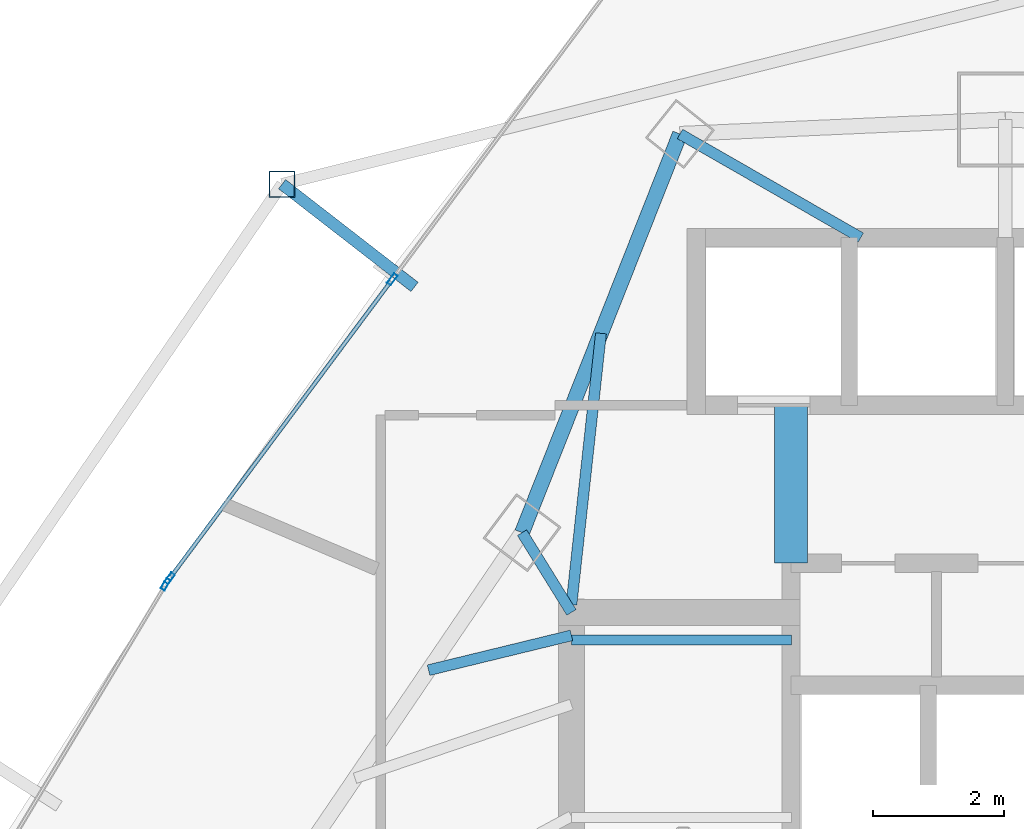
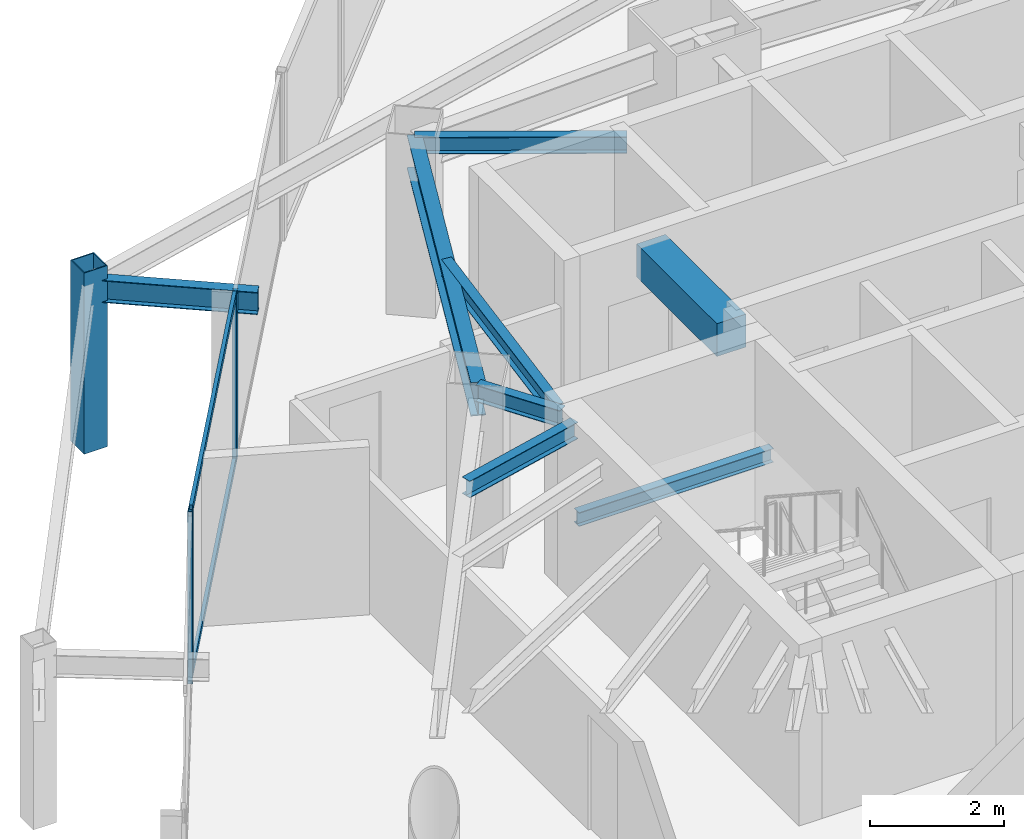
# One storey, part 19 of 31: 8 beams, 6 members, 2 elements without a shape of their own.
"""IFC4 building model written with IfcOpenShell, lengths in metres."""

import ifcopenshell
import ifcopenshell.guid

model = None  # the IFC model being written
_history = None  # IfcOwnerHistory: only IFC2X3 demands one
_inside = {}  # id of a spatial element -> (the spatial element, [elements in it])
_under = {}  # id of a project, library or spatial element -> (it, [spatial elements below it])
_declared = {}  # id of a project -> (the project, [libraries it declares])
_typed = {}  # id of a type object -> (the type object, [elements of that type])
_made_of = {}  # id of a material, layer set ... -> (it, [elements and type objects made of it])


def new_model(schema):
    """Start an empty IFC model of exactly this schema.

    Asked for "IFC4X3", IfcOpenShell would pick the latest addendum, in which some entities
    have other attributes; the version numbers below select the first issue.
    IFC2X3 requires an IfcOwnerHistory on every rooted entity: one is made here for all.
    """
    global model, _history
    if schema == "IFC4X3":
        model = ifcopenshell.file(schema_version=(4, 3, 0, 0))
    else:
        model = ifcopenshell.file(schema=schema)
    _inside.clear()
    _under.clear()
    _declared.clear()
    _typed.clear()
    _made_of.clear()
    _history = None
    if model.schema == "IFC2X3":
        org = make("IfcOrganization", Name="unknown")
        user = make(
            "IfcPersonAndOrganization",
            ThePerson=make("IfcPerson", FamilyName="unknown"),
            TheOrganization=org,
        )
        app = make(
            "IfcApplication",
            ApplicationDeveloper=org,
            Version="unknown",
            ApplicationFullName="unknown",
            ApplicationIdentifier="unknown",
        )
        _history = make(
            "IfcOwnerHistory",
            OwningUser=user,
            OwningApplication=app,
            ChangeAction="ADDED",
            CreationDate=0,
        )
    return model


def make(cls, **values):
    """One entity of the class cls with the attributes given. An attribute that is None is left unset."""
    return model.create_entity(
        cls, **{name: value for name, value in values.items() if value is not None}
    )


def rooted(cls, **values):
    """An entity with a GlobalId (a new one), such as an element, a storey or a relation."""
    return make(cls, GlobalId=ifcopenshell.guid.new(), OwnerHistory=_history, **values)


def si_unit(unit_type, name, prefix=None):
    """IfcSIUnit, for example si_unit("LENGTHUNIT", "METRE", prefix="MILLI")."""
    return make("IfcSIUnit", UnitType=unit_type, Prefix=prefix, Name=name)


def assignment(units):
    """IfcUnitAssignment: the units of a project."""
    return None if units is None else make("IfcUnitAssignment", Units=units)


def point(xyz):
    """IfcCartesianPoint."""
    return None if xyz is None else make("IfcCartesianPoint", Coordinates=xyz)


def direction(xyz):
    """IfcDirection."""
    return None if xyz is None else make("IfcDirection", DirectionRatios=xyz)


def frame(location, z_axis=None, x_axis=None):
    """IfcAxis2Placement3D, a coordinate frame: its origin and axes. An axis left out is left unset."""
    return make(
        "IfcAxis2Placement3D",
        Location=point(location),
        Axis=direction(z_axis),
        RefDirection=direction(x_axis),
    )


def frame_2d(location, x_axis=None):
    """IfcAxis2Placement2D, a coordinate frame in the plane: its origin and x axis."""
    return make(
        "IfcAxis2Placement2D", Location=point(location), RefDirection=direction(x_axis)
    )


def origin():
    """The frame at (0, 0, 0) with its axes left unset."""
    return frame((0.0, 0.0, 0.0))


def origin_2d():
    """The frame at (0, 0) in the plane with its x axis left unset."""
    return frame_2d((0.0, 0.0))


def place(relative_to, where):
    """IfcLocalPlacement: puts the frame where relative to a parent placement (None: the world)."""
    return make(
        "IfcLocalPlacement", PlacementRelTo=relative_to, RelativePlacement=where
    )


def context(
    kind, dimensions, precision=None, world=None, true_north=None, identifier=None
):
    """IfcGeometricRepresentationContext, for example the 3D "Model" context."""
    return make(
        "IfcGeometricRepresentationContext",
        ContextIdentifier=identifier,
        ContextType=kind,
        CoordinateSpaceDimension=dimensions,
        Precision=precision,
        WorldCoordinateSystem=world,
        TrueNorth=true_north,
    )


def subcontext(parent, identifier, kind, view, scale=None):
    """IfcGeometricRepresentationSubContext, for example "Body" below "Model"."""
    return make(
        "IfcGeometricRepresentationSubContext",
        ContextIdentifier=identifier,
        ContextType=kind,
        ParentContext=parent,
        TargetScale=scale,
        TargetView=view,
    )


def project(units=None, contexts=None):
    """IfcProject with its units and contexts."""
    return rooted(
        "IfcProject",
        Name="project",
        RepresentationContexts=contexts,
        UnitsInContext=assignment(units),
    )


def spatial(cls, under=None, at=None, **own):
    """A site, building, storey or space (cls), placed at a placement, below another one or the project."""
    s = rooted(cls, ObjectPlacement=at, **own)
    if under is not None:
        _under.setdefault(under.id(), (under, []))[1].append(s)
    return s


def profile(cls, at=None, kind="AREA", **sizes):
    """A parametric profile (cls). Its sizes go by their IFC names, for example OverallWidth=200.0."""
    return make(cls, ProfileType=kind, Position=at, **sizes)


def rectangle(**sizes):
    """IfcRectangleProfileDef."""
    return profile("IfcRectangleProfileDef", **sizes)


def hollow_rectangle(**sizes):
    """IfcRectangleHollowProfileDef."""
    return profile("IfcRectangleHollowProfileDef", **sizes)


def i_section(**sizes):
    """IfcIShapeProfileDef."""
    return profile("IfcIShapeProfileDef", **sizes)


def extrude(swept, where, along, depth):
    """IfcExtrudedAreaSolid: the profile swept, set in the frame where, extruded along a direction by depth."""
    return make(
        "IfcExtrudedAreaSolid",
        SweptArea=swept,
        Position=where,
        ExtrudedDirection=direction(along),
        Depth=depth,
    )


def shape(context_of_items, identifier, shape_type, items):
    """IfcShapeRepresentation: the items that make up one representation, for example the "Body"."""
    return make(
        "IfcShapeRepresentation",
        ContextOfItems=context_of_items,
        RepresentationIdentifier=identifier,
        RepresentationType=shape_type,
        Items=items,
    )


def material(Name=None, Category=None):
    """IfcMaterial."""
    return make("IfcMaterial", Name=Name, Category=Category)


def layer(
    of_material, thickness, ventilated=None, Name=None, Category=None, Priority=None
):
    """IfcMaterialLayer: one layer of a wall or slab, of a material (None: an air gap)."""
    return make(
        "IfcMaterialLayer",
        Material=of_material,
        LayerThickness=thickness,
        IsVentilated=ventilated,
        Name=Name,
        Category=Category,
        Priority=Priority,
    )


def layer_set(layers, Name=None):
    """IfcMaterialLayerSet."""
    return make("IfcMaterialLayerSet", MaterialLayers=layers, LayerSetName=Name)


def material_profile(
    of_material, cross_section, Name=None, Category=None, Priority=None
):
    """IfcMaterialProfile: a cross section and its material."""
    return make(
        "IfcMaterialProfile",
        Name=Name,
        Material=of_material,
        Profile=cross_section,
        Priority=Priority,
        Category=Category,
    )


def profile_set(profiles, Name=None, composite=None):
    """IfcMaterialProfileSet."""
    return make(
        "IfcMaterialProfileSet",
        Name=Name,
        MaterialProfiles=profiles,
        CompositeProfile=composite,
    )


def made_of(thing, what):
    """Note that an element or type object is made of a material, layer set ...; save() writes the relation."""
    if what is not None:
        _made_of.setdefault(what.id(), (what, []))[1].append(thing)
    return thing


def type_object(cls, material=None, **own):
    """A type object (cls), such as IfcWallType, which elements share."""
    return made_of(rooted(cls, **own), material)


def element(
    cls,
    number,
    at=None,
    inside=None,
    cuts=None,
    type_object=None,
    material=None,
    context=None,
    identifier="Body",
    shape_type=None,
    held_by="IfcProductDefinitionShape",
    body=None,
    shapes=None,
    **own,
):
    """One element of the class cls, such as IfcWall. Its Tag is "e" and its number.

    at: its placement. inside: the storey or other place that contains it. cuts: it is an
    opening in that element (IfcRelVoidsElement). A single representation is given by context,
    identifier, shape_type and body (its items); several are given by shapes. held_by: the class
    of the entity that holds the representations. save() writes the other relations.
    """
    e = rooted(cls, Tag="e%d" % number, ObjectPlacement=at, **own)
    if body is not None:
        shapes = [shape(context, identifier, shape_type, body)]
    if shapes is not None:
        e.Representation = make(held_by, Representations=shapes)
    if inside is not None:
        _inside.setdefault(inside.id(), (inside, []))[1].append(e)
    if cuts is not None:
        rooted(
            "IfcRelVoidsElement", RelatingBuildingElement=cuts, RelatedOpeningElement=e
        )
    if type_object is not None:
        _typed.setdefault(type_object.id(), (type_object, []))[1].append(e)
    return made_of(e, material)


def aggregate(whole, parts):
    """IfcRelAggregates: a whole, such as a stair, and the parts it consists of."""
    return rooted("IfcRelAggregates", RelatingObject=whole, RelatedObjects=parts)


def save(model, path):
    """Write the relations noted so far, then the file.

    IfcRelAggregates (storeys below a building ...), IfcRelContainedInSpatialStructure (elements
    in a storey), IfcRelDefinesByType, IfcRelAssociatesMaterial and IfcRelDeclares: one each for
    every whole, place, type object, material and project.
    """
    for whole, parts in _under.values():
        aggregate(whole, parts)
    for where, things in _inside.values():
        rooted(
            "IfcRelContainedInSpatialStructure",
            RelatedElements=things,
            RelatingStructure=where,
        )
    for kind, things in _typed.values():
        rooted("IfcRelDefinesByType", RelatedObjects=things, RelatingType=kind)
    for what, things in _made_of.values():
        rooted("IfcRelAssociatesMaterial", RelatedObjects=things, RelatingMaterial=what)
    for by, libraries in _declared.values():
        rooted("IfcRelDeclares", RelatingContext=by, RelatedDefinitions=libraries)
    model.write(path)


model = new_model("IFC4")

# Units and contexts
model_context = context("Model", 3, precision=1e-05, world=origin(), true_north=direction((0.0, 1.0)))
body_context = subcontext(model_context, "Body", "Model", "MODEL_VIEW")
ifc_project = project(units=[si_unit("LENGTHUNIT", "METRE"), si_unit("AREAUNIT", "SQUARE_METRE"), si_unit("VOLUMEUNIT", "CUBIC_METRE"), si_unit("PLANEANGLEUNIT", "RADIAN"), si_unit("MASSUNIT", "GRAM", prefix="KILO")], contexts=[model_context])

# Site, building, storey
site_placement = place(None, origin())
site = spatial("IfcSite", under=ifc_project, at=site_placement, CompositionType="ELEMENT")
building_placement = place(site_placement, origin())
building = spatial("IfcBuilding", under=site, at=building_placement, Name="Orvanel Arch Residences", CompositionType="ELEMENT")
storey_placement = place(building_placement, frame((0.0, 0.0, 126.5)))
storey = spatial("IfcBuildingStorey", under=building, at=storey_placement, Name="L35", CompositionType="ELEMENT", Elevation=126.5)

# Beams
ifc_material_1 = material(Name="Structural steel AS/NZS 3679.1 Grade 300 (300 MPa)", Category="steel")
ifc_material_profile_1 = material_profile(ifc_material_1, i_section(OverallWidth=0.14599609375, OverallDepth=0.251953125, WebThickness=0.006103515625, FlangeThickness=0.008544921875, at=origin_2d()), Name="250UB31.4")
ifc_profile_set_1 = profile_set([ifc_material_profile_1], Name="Structural steel AS/NZS 3679.1 Grade 300 (300 MPa)")
beam_type_1 = type_object("IfcBeamType", Name="BJ-250UB", PredefinedType="JOIST", material=ifc_profile_set_1)
beam_1_placement = place(storey_placement, frame((26.39990234375, 33.47998046875, 1.323974609375), z_axis=(1.0, 0.0, 0.0), x_axis=(0.0, 1.0, 0.0)))
element("IfcBeam", 1, at=beam_1_placement, inside=storey, type_object=beam_type_1, Name="L35 ST-1 Half-Landing Support Beam 1.2", PredefinedType="JOIST", context=body_context, shape_type="SweptSolid", body=[
    extrude(i_section(OverallWidth=0.14599609375, OverallDepth=0.251953125, WebThickness=0.006103515625, FlangeThickness=0.008544921875, at=origin_2d()), origin(), (0.0, 0.0, 1.0), 3.35009765625),
])
ifc_material_profile_2 = material_profile(ifc_material_1, i_section(OverallWidth=0.1650390625, OverallDepth=0.303955078125, WebThickness=0.006103515625, FlangeThickness=0.01025390625, at=origin_2d()), Name="310UB40.4")
ifc_profile_set_2 = profile_set([ifc_material_profile_2], Name="Structural steel AS/NZS 3679.1 Grade 300 (300 MPa)")
beam_type_2 = type_object("IfcBeamType", Name="BJ-310UB", PredefinedType="JOIST", material=ifc_profile_set_2)
beam_2_placement = place(storey_placement, frame((26.39990234375, 33.89990234375, 2.907958984375), z_axis=(-0.526843290616, 0.84996243866, 0.0), x_axis=(-0.84996243866, -0.526843290616, 0.0)))
element("IfcBeam", 2, at=beam_2_placement, inside=storey, type_object=beam_type_2, Name="L35 NNW Wing Floor Joist", PredefinedType="JOIST", context=body_context, shape_type="SweptSolid", body=[
    extrude(i_section(OverallWidth=0.1650390625, OverallDepth=0.303955078125, WebThickness=0.006103515625, FlangeThickness=0.01025390625, at=origin_2d()), origin(), (0.0, 0.0, 1.0), 1.42724609375),
])
beam_3_placement = place(storey_placement, frame((26.39990234375, 34.02001953125, 2.907958984375), z_axis=(0.108261441852, 0.99412245735, 0.0), x_axis=(-0.99412245735, 0.108261441852, 0.0)))
element("IfcBeam", 3, at=beam_3_placement, inside=storey, type_object=beam_type_2, Name="L35 NNW2 Wing Floor Joist", PredefinedType="JOIST", context=body_context, shape_type="SweptSolid", body=[
    extrude(i_section(OverallWidth=0.1650390625, OverallDepth=0.303955078125, WebThickness=0.006103515625, FlangeThickness=0.01025390625, at=origin_2d()), origin(), (0.0, 0.0, 1.0), 4.1494140625),
])
beam_4_placement = place(storey_placement, frame((30.800048828125, 39.60009765625, 2.907958984375), z_axis=(-0.86736513383, 0.497672306458, 0.0), x_axis=(-0.497672306458, -0.86736513383, 0.0)))
element("IfcBeam", 4, at=beam_4_placement, inside=storey, type_object=beam_type_2, Name="L35 MNW Wing Floor Joist", PredefinedType="JOIST", context=body_context, shape_type="SweptSolid", body=[
    extrude(i_section(OverallWidth=0.1650390625, OverallDepth=0.303955078125, WebThickness=0.006103515625, FlangeThickness=0.01025390625, at=origin_2d()), origin(), (0.0, 0.0, 1.0), 3.17041015625),
])
beam_5_placement = place(storey_placement, frame((26.39990234375, 33.550048828125, 2.907958984375), z_axis=(-0.971638471014, -0.236471312521, 0.0), x_axis=(0.236471312521, -0.971638471014, 0.0)))
element("IfcBeam", 5, at=beam_5_placement, inside=storey, type_object=beam_type_2, Name="L35 JADD3 Wing Floor Joist", PredefinedType="JOIST", context=body_context, shape_type="SweptSolid", body=[
    extrude(i_section(OverallWidth=0.1650390625, OverallDepth=0.303955078125, WebThickness=0.006103515625, FlangeThickness=0.01025390625, at=origin_2d()), origin(), (0.0, 0.0, 1.0), 2.2373046875),
])
ifc_material_2 = material(Name="Concrete S65 (65 MPa)", Category="concrete")
ifc_material_profile_3 = material_profile(ifc_material_2, rectangle(XDim=0.5, YDim=0.60009765625, at=origin_2d()), Name="RC500x600")
ifc_profile_set_3 = profile_set([ifc_material_profile_3], Name="Concrete S65 (65 MPa)")
beam_type_3 = type_object("IfcBeamType", Name="CB-500x600", PredefinedType="LINTEL", material=ifc_profile_set_3)
beam_6_placement = place(storey_placement, frame((29.739990234375, 34.64990234375, 2.760009765625), z_axis=(0.0, 1.0, 0.0), x_axis=(-1.0, 0.0, 0.0)))
element("IfcBeam", 6, at=beam_6_placement, inside=storey, type_object=beam_type_3, Name="L35 West Core Lobby Coupling Lintel Beam", PredefinedType="LINTEL", context=body_context, shape_type="SweptSolid", body=[
    extrude(rectangle(XDim=0.5, YDim=0.60009765625, at=origin_2d()), origin(), (0.0, 0.0, 1.0), 2.400146484375),
])

# Curtain wall, members
ifc_material_3 = material(Name="Bronze-anodised aluminium AA6063-T6", Category="aluminium")
ifc_layer = layer(ifc_material_3, 0.179931640625)
ifc_layer_set = layer_set([ifc_layer], Name="Bronze-anodised aluminium AA6063-T6")
curtain_wall_type = type_object("IfcCurtainWallType", Name="CW3-MID-SYS", PredefinedType="NOTDEFINED", material=ifc_layer_set)
curtain_wall_1_placement = place(storey_placement, origin())
curtain_wall_1 = element("IfcCurtainWall", 7, at=curtain_wall_1_placement, inside=storey, type_object=curtain_wall_type, Name="L35 CW3-MID-SYS Unitised Curtain Wall", PredefinedType="NOTDEFINED")
ifc_material_profile_4 = material_profile(ifc_material_3, hollow_rectangle(XDim=0.070068359375, YDim=0.179931640625, WallThickness=0.00439453125, at=origin_2d()), Name="ALU180x70x4.5")
ifc_profile_set_4 = profile_set([ifc_material_profile_4], Name="Bronze-anodised aluminium AA6063-T6")
member_type_1 = type_object("IfcMemberType", Name="MUL-180x70", PredefinedType="MULLION", material=ifc_profile_set_4)
member_1_placement = place(storey_placement, frame((23.675537109375, 38.966064453125, 0.0), z_axis=(0.0, 0.0, 1.0), x_axis=(0.801951131724, -0.597389640291, 0.0)))
member_1 = element("IfcMember", 8, at=member_1_placement, type_object=member_type_1, Name="CW-S3 mullion 2", PredefinedType="MULLION", context=body_context, shape_type="SweptSolid", body=[
    extrude(hollow_rectangle(XDim=0.070068359375, YDim=0.179931640625, WallThickness=0.00439453125, at=origin_2d()), origin(), (0.0, 0.0, 1.0), 3.06005859375),
])
member_2_placement = place(storey_placement, frame((20.286865234375, 34.4169921875, 0.0), z_axis=(0.0, 0.0, 1.0), x_axis=(0.801951131724, -0.597389640291, 0.0)))
member_2 = element("IfcMember", 9, at=member_2_placement, type_object=member_type_1, Name="CW-S3 mullion 3", PredefinedType="MULLION", context=body_context, shape_type="SweptSolid", body=[
    extrude(hollow_rectangle(XDim=0.070068359375, YDim=0.179931640625, WallThickness=0.00439453125, at=origin_2d()), origin(), (0.0, 0.0, 1.0), 3.06005859375),
])

# Curtain wall, member
curtain_wall_2_placement = place(storey_placement, origin())
curtain_wall_2 = element("IfcCurtainWall", 10, at=curtain_wall_2_placement, inside=storey, type_object=curtain_wall_type, Name="L35 CW3-MID-SYS Unitised Curtain Wall", PredefinedType="NOTDEFINED")
member_3_placement = place(storey_placement, frame((20.22607421875, 34.325927734375, 0.0), z_axis=(0.0, 0.0, 1.0), x_axis=(0.857531765451, -0.514431016991, 0.0)))
member_3 = element("IfcMember", 11, at=member_3_placement, type_object=member_type_1, Name="CW-S3 mullion 1", PredefinedType="MULLION", context=body_context, shape_type="SweptSolid", body=[
    extrude(hollow_rectangle(XDim=0.070068359375, YDim=0.179931640625, WallThickness=0.00439453125, at=origin_2d()), origin(), (0.0, 0.0, 1.0), 3.06005859375),
])
aggregate(curtain_wall_2, [member_3])

# Beams
ifc_material_profile_5 = material_profile(ifc_material_1, i_section(OverallWidth=0.177978515625, OverallDepth=0.406005859375, WebThickness=0.0078125, FlangeThickness=0.0126953125, at=origin_2d()), Name="410UB59.7")
ifc_profile_set_5 = profile_set([ifc_material_profile_5], Name="Structural steel AS/NZS 3679.1 Grade 300 (300 MPa)")
beam_type_4 = type_object("IfcBeamType", Name="OB-410UB-EXT", PredefinedType="SPANDREL", material=ifc_profile_set_5)
beam_7_placement = place(storey_placement, frame((24.012939453125, 38.85107421875, 2.85693359375), z_axis=(-0.790140314355, 0.612926001757, 0.0), x_axis=(-0.612926001757, -0.790140314355, 0.0)))
element("IfcBeam", 12, at=beam_7_placement, inside=storey, type_object=beam_type_4, Name="L35 Outer Frame Radial Tie Beam 01", PredefinedType="SPANDREL", context=body_context, shape_type="SweptSolid", body=[
    extrude(i_section(OverallWidth=0.177978515625, OverallDepth=0.406005859375, WebThickness=0.0078125, FlangeThickness=0.0126953125, at=origin_2d()), origin(), (0.0, 0.0, 1.0), 2.550048828125),
])
ifc_material_profile_6 = material_profile(ifc_material_1, i_section(OverallWidth=0.22900390625, OverallDepth=0.612060546875, WebThickness=0.011962890625, FlangeThickness=0.01953125, at=origin_2d()), Name="610UB125")
ifc_profile_set_6 = profile_set([ifc_material_profile_6], Name="Structural steel AS/NZS 3679.1 Grade 300 (300 MPa)")
beam_type_5 = type_object("IfcBeamType", Name="SP-610UB", PredefinedType="SPANDREL", material=ifc_profile_set_6)
beam_8_placement = place(storey_placement, frame((28.050048828125, 41.177978515625, 2.75390625), z_axis=(-0.368233143579, -0.929733484376, 0.0), x_axis=(0.929733484376, -0.368233143579, 0.0)))
element("IfcBeam", 13, at=beam_8_placement, inside=storey, type_object=beam_type_5, Name="L35 Perimeter Spandrel Beam 16", PredefinedType="SPANDREL", context=body_context, shape_type="SweptSolid", body=[
    extrude(i_section(OverallWidth=0.22900390625, OverallDepth=0.612060546875, WebThickness=0.011962890625, FlangeThickness=0.01953125, at=origin_2d()), origin(), (0.0, 0.0, 1.0), 6.523193359375),
])

# Member
ifc_material_4 = material(Name="Structural steel AS/NZS 1163 C450L0 (Grade 450)", Category="steel")
ifc_material_profile_7 = material_profile(ifc_material_4, hollow_rectangle(XDim=0.39990234375, YDim=0.39990234375, WallThickness=0.01611328125, at=origin_2d()), Name="SHS400x400x16")
ifc_profile_set_7 = profile_set([ifc_material_profile_7], Name="Structural steel AS/NZS 1163 C450L0 (Grade 450)")
member_type_2 = type_object("IfcMemberType", Name="ST-400SHS-EXT", PredefinedType="STRUT", material=ifc_profile_set_7)
member_4_placement = place(storey_placement, frame((21.998046875, 40.4140625, 0.0), z_axis=(0.0, 0.0, 1.0), x_axis=(1.0, 0.0, 0.0)))
element("IfcMember", 14, at=member_4_placement, inside=storey, type_object=member_type_2, Name="L35 Outer Perimeter Frame Post 01", PredefinedType="STRUT", context=body_context, shape_type="SweptSolid", body=[
    extrude(hollow_rectangle(XDim=0.39990234375, YDim=0.39990234375, WallThickness=0.01611328125, at=origin_2d()), origin(), (0.0, 0.0, 1.0), 3.300048828125),
])

ifc_material_profile_8 = material_profile(ifc_material_3, hollow_rectangle(XDim=0.06005859375, YDim=0.135009765625, WallThickness=0.00390625, at=origin_2d()), Name="ALU135x60x4")
ifc_profile_set_8 = profile_set([ifc_material_profile_8], Name="Bronze-anodised aluminium AA6063-T6")
member_type_3 = type_object("IfcMemberType", Name="TRN-135x60", PredefinedType="USERDEFINED", material=ifc_profile_set_8)
member_5_placement = place(storey_placement, frame((23.654541015625, 38.93798828125, 0.030029296875), z_axis=(-0.597368132118, -0.801967153149, 0.0), x_axis=(0.801967153149, -0.597368132118, 0.0)))
member_5 = element("IfcMember", 15, at=member_5_placement, type_object=member_type_3, Name="CW-S3 transom 2.1", ObjectType="TRANSOM", PredefinedType="USERDEFINED", context=body_context, shape_type="SweptSolid", body=[
    extrude(hollow_rectangle(XDim=0.06005859375, YDim=0.135009765625, WallThickness=0.00390625, at=origin_2d()), origin(), (0.0, 0.0, 1.0), 5.602294921875),
])

member_6_placement = place(storey_placement, frame((23.654541015625, 38.93798828125, 3.030029296875), z_axis=(-0.597368132118, -0.801967153149, 0.0), x_axis=(0.801967153149, -0.597368132118, 0.0)))
member_6 = element("IfcMember", 16, at=member_6_placement, type_object=member_type_3, Name="CW-S3 transom 2.2", ObjectType="TRANSOM", PredefinedType="USERDEFINED", context=body_context, shape_type="SweptSolid", body=[
    extrude(hollow_rectangle(XDim=0.06005859375, YDim=0.135009765625, WallThickness=0.00390625, at=origin_2d()), origin(), (0.0, 0.0, 1.0), 5.602294921875),
])

aggregate(curtain_wall_1, [member_1, member_2, member_5, member_6])

save(model, "model.ifc")
